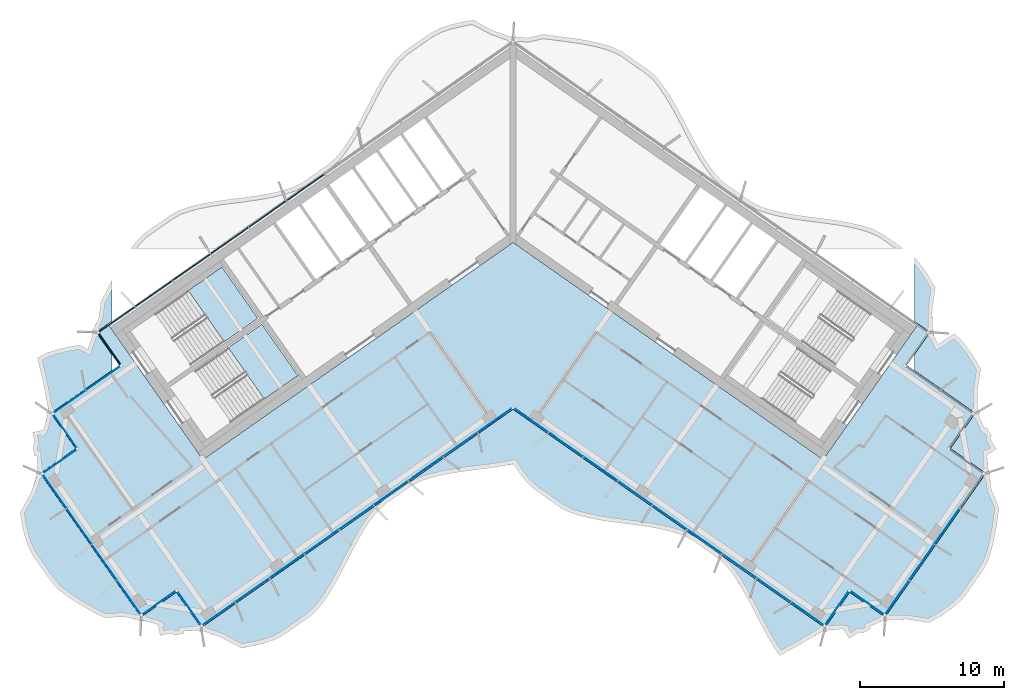
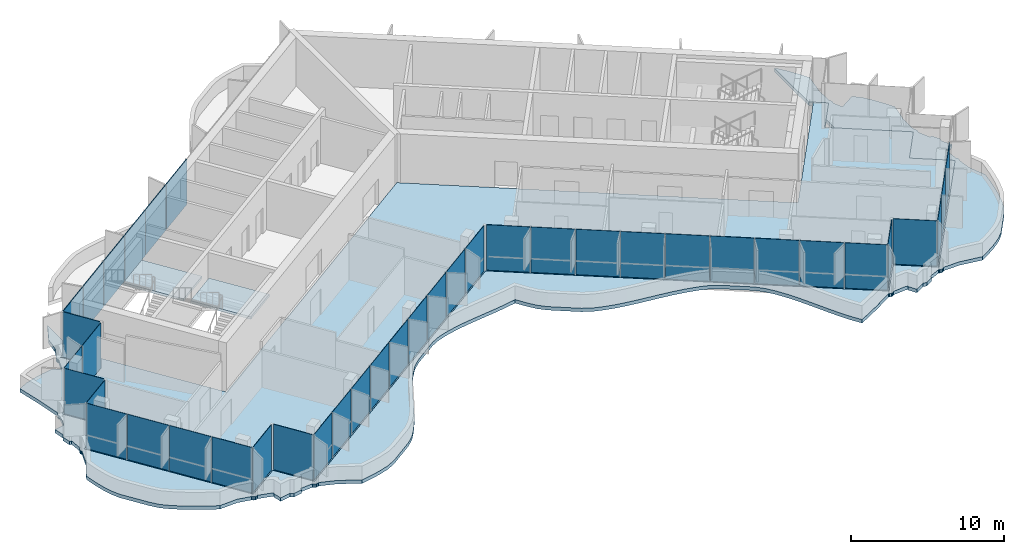
# One storey, part 9 of 20: 40 plates, 4 slabs, 4 elements without a shape of their own.
"""IFC4 building model written with IfcOpenShell, lengths in metres."""

from ifc_helpers import new_model, si_unit, direction, frame, origin, origin_2d, place, context, subcontext, project, spatial, polyline, rectangle, outline, extrude, material, layer, layer_set, type_object, element, aggregate, save


model = new_model("IFC4")

# Units and contexts
model_context = context("Model", 3, precision=1e-05, world=origin(), true_north=direction((0.0, 1.0)))
body_context = subcontext(model_context, "Body", "Model", "MODEL_VIEW")
ifc_project = project(units=[si_unit("LENGTHUNIT", "METRE"), si_unit("AREAUNIT", "SQUARE_METRE"), si_unit("VOLUMEUNIT", "CUBIC_METRE"), si_unit("PLANEANGLEUNIT", "RADIAN"), si_unit("MASSUNIT", "GRAM", prefix="KILO")], contexts=[model_context])

# Site, building, storey
site_placement = place(None, origin())
site = spatial("IfcSite", under=ifc_project, at=site_placement, CompositionType="ELEMENT")
building_placement = place(site_placement, origin())
building = spatial("IfcBuilding", under=site, at=building_placement, Name="Tel Ilan Convention Tower", CompositionType="ELEMENT")
storey_placement = place(building_placement, frame((0.0, 0.0, 244.89990234375)))
storey = spatial("IfcBuildingStorey", under=building, at=storey_placement, Name="L57", CompositionType="ELEMENT", Elevation=244.89990234375)

# Curtain wall, plates
ifc_material_1 = material(Name="Aluminium, bronze anodised", Category="aluminium")
curtain_wall_type_1 = type_object("IfcCurtainWallType", Name="CW2 STICK CURTAIN WALL, SPANDREL PANELS", PredefinedType="NOTDEFINED", material=ifc_material_1)
curtain_wall_1_placement = place(storey_placement, origin())
curtain_wall_1 = element("IfcCurtainWall", 1, at=curtain_wall_1_placement, inside=storey, type_object=curtain_wall_type_1, Name="Curtain wall CW2-44.01", PredefinedType="NOTDEFINED")
ifc_material_2 = material(Name="Aluminium composite panel, bronze anodised", Category="aluminium")
ifc_layer_1 = layer(ifc_material_2, 0.06005859375)
ifc_layer_set_1 = layer_set([ifc_layer_1], Name="CW SPANDREL PANEL 60")
plate_type_1 = type_object("IfcPlateType", Name="CW SPANDREL PANEL 60", PredefinedType="CURTAIN_PANEL", material=ifc_layer_set_1)
plate_1_placement = place(storey_placement, frame((-14.422119140625, 2.59765625, 0.0), z_axis=(0.0, 0.0, 1.0), x_axis=(-0.819152044289, -0.573576436351, 0.0)))
plate_1 = element("IfcPlate", 2, at=plate_1_placement, type_object=plate_type_1, Name="Spandrel panel", PredefinedType="CURTAIN_PANEL", context=body_context, shape_type="SweptSolid", body=[
    extrude(rectangle(XDim=3.15380859375, YDim=0.06005859375, at=origin_2d()), origin(), (0.0, 0.0, 1.0), 3.6201171875),
])
plate_2_placement = place(storey_placement, frame((-17.0546875, 0.754150390625, 0.0), z_axis=(0.0, 0.0, 1.0), x_axis=(-0.819152044289, -0.573576436351, 0.0)))
plate_2 = element("IfcPlate", 3, at=plate_2_placement, type_object=plate_type_1, Name="Spandrel panel", PredefinedType="CURTAIN_PANEL", context=body_context, shape_type="SweptSolid", body=[
    extrude(rectangle(XDim=3.15380859375, YDim=0.06005859375, at=origin_2d()), origin(), (0.0, 0.0, 1.0), 3.6201171875),
])
plate_3_placement = place(storey_placement, frame((-19.687255859375, -1.089111328125, 0.0), z_axis=(0.0, 0.0, 1.0), x_axis=(-0.819152044289, -0.573576436351, 0.0)))
plate_3 = element("IfcPlate", 4, at=plate_3_placement, type_object=plate_type_1, Name="Spandrel panel", PredefinedType="CURTAIN_PANEL", context=body_context, shape_type="SweptSolid", body=[
    extrude(rectangle(XDim=3.15380859375, YDim=0.06005859375, at=origin_2d()), origin(), (0.0, 0.0, 1.0), 3.6201171875),
])
plate_4_placement = place(storey_placement, frame((-22.31982421875, -2.9326171875, 0.0), z_axis=(0.0, 0.0, 1.0), x_axis=(-0.819152044289, -0.573576436351, 0.0)))
plate_4 = element("IfcPlate", 5, at=plate_4_placement, type_object=plate_type_1, Name="Spandrel panel", PredefinedType="CURTAIN_PANEL", context=body_context, shape_type="SweptSolid", body=[
    extrude(rectangle(XDim=3.15380859375, YDim=0.06005859375, at=origin_2d()), origin(), (0.0, 0.0, 1.0), 3.6201171875),
])
plate_5_placement = place(storey_placement, frame((-24.95263671875, -4.77587890625, 0.0), z_axis=(0.0, 0.0, 1.0), x_axis=(-0.819152044289, -0.573576436351, 0.0)))
plate_5 = element("IfcPlate", 6, at=plate_5_placement, type_object=plate_type_1, Name="Spandrel panel", PredefinedType="CURTAIN_PANEL", context=body_context, shape_type="SweptSolid", body=[
    extrude(rectangle(XDim=3.15380859375, YDim=0.06005859375, at=origin_2d()), origin(), (0.0, 0.0, 1.0), 3.6201171875),
])
plate_6_placement = place(storey_placement, frame((-27.5400390625, -6.587646484375, 0.0), z_axis=(0.0, 0.0, 1.0), x_axis=(-0.819152044289, -0.573576436351, 0.0)))
plate_6 = element("IfcPlate", 7, at=plate_6_placement, type_object=plate_type_1, Name="Spandrel panel", PredefinedType="CURTAIN_PANEL", context=body_context, shape_type="SweptSolid", body=[
    extrude(rectangle(XDim=3.0439453125, YDim=0.06005859375, at=origin_2d()), origin(), (0.0, 0.0, 1.0), 3.6201171875),
])
plate_7_placement = place(storey_placement, frame((-28.033935546875, -8.60546875, 0.0), z_axis=(0.0, 0.0, 1.0), x_axis=(0.573576436351, -0.819152044289, 0.0)))
plate_7 = element("IfcPlate", 8, at=plate_7_placement, type_object=plate_type_1, Name="Spandrel panel", PredefinedType="CURTAIN_PANEL", context=body_context, shape_type="SweptSolid", body=[
    extrude(rectangle(XDim=2.658935546875, YDim=0.06005859375, at=origin_2d()), origin(), (0.0, 0.0, 1.0), 3.6201171875),
])
aggregate(curtain_wall_1, [plate_1, plate_2, plate_3, plate_4, plate_5, plate_6, plate_7])

ifc_material_3 = material(Name="Aluminium, bronze anodised", Category="aluminium")
curtain_wall_type_2 = type_object("IfcCurtainWallType", Name="CW5 STICK CURTAIN WALL, UPPER OFFICE LOW-IRON TINTED GLASS", PredefinedType="NOTDEFINED", material=ifc_material_3)
curtain_wall_2_placement = place(storey_placement, origin())
curtain_wall_2 = element("IfcCurtainWall", 9, at=curtain_wall_2_placement, inside=storey, type_object=curtain_wall_type_2, Name="Curtain wall CW5-44.02", PredefinedType="NOTDEFINED")
ifc_material_4 = material(Name="Glass, low-iron bronze tinted, two-ply", Category="glass")
ifc_layer_2 = layer(ifc_material_4, 0.031982421875)
ifc_layer_set_2 = layer_set([ifc_layer_2], Name="CW UPPER GLASS PANEL 32")
plate_type_2 = type_object("IfcPlateType", Name="CW UPPER GLASS PANEL 32", PredefinedType="CURTAIN_PANEL", material=ifc_layer_set_2)
plate_8_placement = place(storey_placement, frame((-28.471435546875, -10.657958984375, 0.0), z_axis=(0.0, 0.0, 1.0), x_axis=(-0.819152044289, -0.573576436351, 0.0)))
plate_8 = element("IfcPlate", 10, at=plate_8_placement, type_object=plate_type_2, Name="Glass panel", PredefinedType="CURTAIN_PANEL", context=body_context, shape_type="SweptSolid", body=[
    extrude(rectangle(XDim=2.868896484375, YDim=0.028076171875, at=origin_2d()), origin(), (0.0, 0.0, 1.0), 3.6201171875),
])
plate_9_placement = place(storey_placement, frame((-30.8203125, -12.302734375, 0.0), z_axis=(0.0, 0.0, 1.0), x_axis=(-0.819152044289, -0.573576436351, 0.0)))
plate_9 = element("IfcPlate", 11, at=plate_9_placement, type_object=plate_type_2, Name="Glass panel", PredefinedType="CURTAIN_PANEL", context=body_context, shape_type="SweptSolid", body=[
    extrude(rectangle(XDim=2.74609375, YDim=0.028076171875, at=origin_2d()), origin(), (0.0, 0.0, 1.0), 3.6201171875),
])
plate_10_placement = place(storey_placement, frame((-31.126220703125, -14.30126953125, 0.0), z_axis=(0.0, 0.0, 1.0), x_axis=(0.573576436351, -0.819152044289, 0.0)))
plate_10 = element("IfcPlate", 12, at=plate_10_placement, type_object=plate_type_2, Name="Glass panel", PredefinedType="CURTAIN_PANEL", context=body_context, shape_type="SweptSolid", body=[
    extrude(rectangle(XDim=2.875, YDim=0.028076171875, at=origin_2d()), origin(), (0.0, 0.0, 1.0), 3.6201171875),
])
plate_11_placement = place(storey_placement, frame((-31.504150390625, -16.44384765625, 0.0), z_axis=(0.0, 0.0, 1.0), x_axis=(-0.819152044289, -0.573576436351, 0.0)))
plate_11 = element("IfcPlate", 13, at=plate_11_placement, type_object=plate_type_2, Name="Glass panel", PredefinedType="CURTAIN_PANEL", context=body_context, shape_type="SweptSolid", body=[
    extrude(rectangle(XDim=2.875, YDim=0.028076171875, at=origin_2d()), origin(), (0.0, 0.0, 1.0), 3.6201171875),
])
plate_12_placement = place(storey_placement, frame((-31.85693359375, -18.488037109375, 0.0), z_axis=(0.0, 0.0, 1.0), x_axis=(0.573576436351, -0.819152044289, 0.0)))
plate_12 = element("IfcPlate", 14, at=plate_12_placement, type_object=plate_type_2, Name="Glass panel", PredefinedType="CURTAIN_PANEL", context=body_context, shape_type="SweptSolid", body=[
    extrude(rectangle(XDim=2.89599609375, YDim=0.028076171875, at=origin_2d()), origin(), (0.0, 0.0, 1.0), 3.6201171875),
])
plate_13_placement = place(storey_placement, frame((-30.134521484375, -20.94775390625, 0.0), z_axis=(0.0, 0.0, 1.0), x_axis=(0.573576436351, -0.819152044289, 0.0)))
plate_13 = element("IfcPlate", 15, at=plate_13_placement, type_object=plate_type_2, Name="Glass panel", PredefinedType="CURTAIN_PANEL", context=body_context, shape_type="SweptSolid", body=[
    extrude(rectangle(XDim=2.989990234375, YDim=0.028076171875, at=origin_2d()), origin(), (0.0, 0.0, 1.0), 3.6201171875),
])
plate_14_placement = place(storey_placement, frame((-28.38525390625, -23.4462890625, 0.0), z_axis=(0.0, 0.0, 1.0), x_axis=(0.573576436351, -0.819152044289, 0.0)))
plate_14 = element("IfcPlate", 16, at=plate_14_placement, type_object=plate_type_2, Name="Glass panel", PredefinedType="CURTAIN_PANEL", context=body_context, shape_type="SweptSolid", body=[
    extrude(rectangle(XDim=2.989990234375, YDim=0.028076171875, at=origin_2d()), origin(), (0.0, 0.0, 1.0), 3.6201171875),
])
plate_15_placement = place(storey_placement, frame((-26.66259765625, -25.90625, 0.0), z_axis=(0.0, 0.0, 1.0), x_axis=(0.573576436351, -0.819152044289, 0.0)))
plate_15 = element("IfcPlate", 17, at=plate_15_placement, type_object=plate_type_2, Name="Glass panel", PredefinedType="CURTAIN_PANEL", context=body_context, shape_type="SweptSolid", body=[
    extrude(rectangle(XDim=2.89599609375, YDim=0.028076171875, at=origin_2d()), origin(), (0.0, 0.0, 1.0), 3.6201171875),
])
plate_16_placement = place(storey_placement, frame((-24.621337890625, -26.273681640625, 0.0), z_axis=(0.0, 0.0, 1.0), x_axis=(0.819152044289, 0.573576436351, 0.0)))
plate_16 = element("IfcPlate", 18, at=plate_16_placement, type_object=plate_type_2, Name="Glass panel", PredefinedType="CURTAIN_PANEL", context=body_context, shape_type="SweptSolid", body=[
    extrude(rectangle(XDim=2.875, YDim=0.028076171875, at=origin_2d()), origin(), (0.0, 0.0, 1.0), 3.6201171875),
])
plate_17_placement = place(storey_placement, frame((-22.478515625, -26.651611328125, 0.0), z_axis=(0.0, 0.0, 1.0), x_axis=(0.573576436351, -0.819152044289, 0.0)))
plate_17 = element("IfcPlate", 19, at=plate_17_placement, type_object=plate_type_2, Name="Glass panel", PredefinedType="CURTAIN_PANEL", context=body_context, shape_type="SweptSolid", body=[
    extrude(rectangle(XDim=2.875, YDim=0.028076171875, at=origin_2d()), origin(), (0.0, 0.0, 1.0), 3.6201171875),
])
plate_18_placement = place(storey_placement, frame((-20.47998046875, -27.036376953125, 0.0), z_axis=(0.0, 0.0, 1.0), x_axis=(0.819152044289, 0.573576436351, 0.0)))
plate_18 = element("IfcPlate", 20, at=plate_18_placement, type_object=plate_type_2, Name="Glass panel", PredefinedType="CURTAIN_PANEL", context=body_context, shape_type="SweptSolid", body=[
    extrude(rectangle(XDim=2.78466796875, YDim=0.028076171875, at=origin_2d()), origin(), (0.0, 0.0, 1.0), 3.6201171875),
])
plate_19_placement = place(storey_placement, frame((-18.111328125, -25.377685546875, 0.0), z_axis=(0.0, 0.0, 1.0), x_axis=(0.819152044289, 0.573576436351, 0.0)))
plate_19 = element("IfcPlate", 21, at=plate_19_placement, type_object=plate_type_2, Name="Glass panel", PredefinedType="CURTAIN_PANEL", context=body_context, shape_type="SweptSolid", body=[
    extrude(rectangle(XDim=2.878662109375, YDim=0.028076171875, at=origin_2d()), origin(), (0.0, 0.0, 1.0), 3.6201171875),
])
plate_20_placement = place(storey_placement, frame((-15.7041015625, -23.692138671875, 0.0), z_axis=(0.0, 0.0, 1.0), x_axis=(0.819152044289, 0.573576436351, 0.0)))
plate_20 = element("IfcPlate", 22, at=plate_20_placement, type_object=plate_type_2, Name="Glass panel", PredefinedType="CURTAIN_PANEL", context=body_context, shape_type="SweptSolid", body=[
    extrude(rectangle(XDim=2.878662109375, YDim=0.028076171875, at=origin_2d()), origin(), (0.0, 0.0, 1.0), 3.6201171875),
])
plate_21_placement = place(storey_placement, frame((-13.296875, -22.006591796875, 0.0), z_axis=(0.0, 0.0, 1.0), x_axis=(0.819152044289, 0.573576436351, 0.0)))
plate_21 = element("IfcPlate", 23, at=plate_21_placement, type_object=plate_type_2, Name="Glass panel", PredefinedType="CURTAIN_PANEL", context=body_context, shape_type="SweptSolid", body=[
    extrude(rectangle(XDim=2.878662109375, YDim=0.028076171875, at=origin_2d()), origin(), (0.0, 0.0, 1.0), 3.6201171875),
])
plate_22_placement = place(storey_placement, frame((-10.8896484375, -20.321044921875, 0.0), z_axis=(0.0, 0.0, 1.0), x_axis=(0.819152044289, 0.573576436351, 0.0)))
plate_22 = element("IfcPlate", 24, at=plate_22_placement, type_object=plate_type_2, Name="Glass panel", PredefinedType="CURTAIN_PANEL", context=body_context, shape_type="SweptSolid", body=[
    extrude(rectangle(XDim=2.878662109375, YDim=0.028076171875, at=origin_2d()), origin(), (0.0, 0.0, 1.0), 3.6201171875),
])
plate_23_placement = place(storey_placement, frame((-8.482666015625, -18.635498046875, 0.0), z_axis=(0.0, 0.0, 1.0), x_axis=(0.819152044289, 0.573576436351, 0.0)))
plate_23 = element("IfcPlate", 25, at=plate_23_placement, type_object=plate_type_2, Name="Glass panel", PredefinedType="CURTAIN_PANEL", context=body_context, shape_type="SweptSolid", body=[
    extrude(rectangle(XDim=2.878662109375, YDim=0.028076171875, at=origin_2d()), origin(), (0.0, 0.0, 1.0), 3.6201171875),
])
plate_24_placement = place(storey_placement, frame((-6.075439453125, -16.949951171875, 0.0), z_axis=(0.0, 0.0, 1.0), x_axis=(0.819152044289, 0.573576436351, 0.0)))
plate_24 = element("IfcPlate", 26, at=plate_24_placement, type_object=plate_type_2, Name="Glass panel", PredefinedType="CURTAIN_PANEL", context=body_context, shape_type="SweptSolid", body=[
    extrude(rectangle(XDim=2.878662109375, YDim=0.028076171875, at=origin_2d()), origin(), (0.0, 0.0, 1.0), 3.6201171875),
])
plate_25_placement = place(storey_placement, frame((-3.668212890625, -15.264404296875, 0.0), z_axis=(0.0, 0.0, 1.0), x_axis=(0.819152044289, 0.573576436351, 0.0)))
plate_25 = element("IfcPlate", 27, at=plate_25_placement, type_object=plate_type_2, Name="Glass panel", PredefinedType="CURTAIN_PANEL", context=body_context, shape_type="SweptSolid", body=[
    extrude(rectangle(XDim=2.878662109375, YDim=0.028076171875, at=origin_2d()), origin(), (0.0, 0.0, 1.0), 3.6201171875),
])
plate_26_placement = place(storey_placement, frame((-1.261474609375, -13.579345703125, 0.0), z_axis=(0.0, 0.0, 1.0), x_axis=(0.819152044289, 0.573576436351, 0.0)))
plate_26 = element("IfcPlate", 28, at=plate_26_placement, type_object=plate_type_2, Name="Glass panel", PredefinedType="CURTAIN_PANEL", context=body_context, shape_type="SweptSolid", body=[
    extrude(rectangle(XDim=2.877685546875, YDim=0.028076171875, at=origin_2d()), origin(), (0.0, 0.0, 1.0), 3.6201171875),
])
plate_27_placement = place(storey_placement, frame((1.27294921875, -13.58740234375, 0.0), z_axis=(0.0, 0.0, 1.0), x_axis=(0.819152044289, -0.573576436351, 0.0)))
plate_27 = element("IfcPlate", 29, at=plate_27_placement, type_object=plate_type_2, Name="Glass panel", PredefinedType="CURTAIN_PANEL", context=body_context, shape_type="SweptSolid", body=[
    extrude(rectangle(XDim=2.849609375, YDim=0.028076171875, at=origin_2d()), origin(), (0.0, 0.0, 1.0), 3.6201171875),
])
plate_28_placement = place(storey_placement, frame((3.668212890625, -15.264404296875, 0.0), z_axis=(0.0, 0.0, 1.0), x_axis=(0.819152044289, -0.573576436351, 0.0)))
plate_28 = element("IfcPlate", 30, at=plate_28_placement, type_object=plate_type_2, Name="Glass panel", PredefinedType="CURTAIN_PANEL", context=body_context, shape_type="SweptSolid", body=[
    extrude(rectangle(XDim=2.878662109375, YDim=0.028076171875, at=origin_2d()), origin(), (0.0, 0.0, 1.0), 3.6201171875),
])
plate_29_placement = place(storey_placement, frame((6.075439453125, -16.949951171875, 0.0), z_axis=(0.0, 0.0, 1.0), x_axis=(0.819152044289, -0.573576436351, 0.0)))
plate_29 = element("IfcPlate", 31, at=plate_29_placement, type_object=plate_type_2, Name="Glass panel", PredefinedType="CURTAIN_PANEL", context=body_context, shape_type="SweptSolid", body=[
    extrude(rectangle(XDim=2.878662109375, YDim=0.028076171875, at=origin_2d()), origin(), (0.0, 0.0, 1.0), 3.6201171875),
])
plate_30_placement = place(storey_placement, frame((8.482666015625, -18.635498046875, 0.0), z_axis=(0.0, 0.0, 1.0), x_axis=(0.819152044289, -0.573576436351, 0.0)))
plate_30 = element("IfcPlate", 32, at=plate_30_placement, type_object=plate_type_2, Name="Glass panel", PredefinedType="CURTAIN_PANEL", context=body_context, shape_type="SweptSolid", body=[
    extrude(rectangle(XDim=2.878662109375, YDim=0.028076171875, at=origin_2d()), origin(), (0.0, 0.0, 1.0), 3.6201171875),
])
plate_31_placement = place(storey_placement, frame((10.8896484375, -20.321044921875, 0.0), z_axis=(0.0, 0.0, 1.0), x_axis=(0.819152044289, -0.573576436351, 0.0)))
plate_31 = element("IfcPlate", 33, at=plate_31_placement, type_object=plate_type_2, Name="Glass panel", PredefinedType="CURTAIN_PANEL", context=body_context, shape_type="SweptSolid", body=[
    extrude(rectangle(XDim=2.878662109375, YDim=0.028076171875, at=origin_2d()), origin(), (0.0, 0.0, 1.0), 3.6201171875),
])
plate_32_placement = place(storey_placement, frame((13.296875, -22.006591796875, 0.0), z_axis=(0.0, 0.0, 1.0), x_axis=(0.819152044289, -0.573576436351, 0.0)))
plate_32 = element("IfcPlate", 34, at=plate_32_placement, type_object=plate_type_2, Name="Glass panel", PredefinedType="CURTAIN_PANEL", context=body_context, shape_type="SweptSolid", body=[
    extrude(rectangle(XDim=2.878662109375, YDim=0.028076171875, at=origin_2d()), origin(), (0.0, 0.0, 1.0), 3.6201171875),
])
plate_33_placement = place(storey_placement, frame((15.7041015625, -23.692138671875, 0.0), z_axis=(0.0, 0.0, 1.0), x_axis=(0.819152044289, -0.573576436351, 0.0)))
plate_33 = element("IfcPlate", 35, at=plate_33_placement, type_object=plate_type_2, Name="Glass panel", PredefinedType="CURTAIN_PANEL", context=body_context, shape_type="SweptSolid", body=[
    extrude(rectangle(XDim=2.878662109375, YDim=0.028076171875, at=origin_2d()), origin(), (0.0, 0.0, 1.0), 3.6201171875),
])
plate_34_placement = place(storey_placement, frame((18.111328125, -25.377685546875, 0.0), z_axis=(0.0, 0.0, 1.0), x_axis=(0.819152044289, -0.573576436351, 0.0)))
plate_34 = element("IfcPlate", 36, at=plate_34_placement, type_object=plate_type_2, Name="Glass panel", PredefinedType="CURTAIN_PANEL", context=body_context, shape_type="SweptSolid", body=[
    extrude(rectangle(XDim=2.878662109375, YDim=0.028076171875, at=origin_2d()), origin(), (0.0, 0.0, 1.0), 3.6201171875),
])
plate_35_placement = place(storey_placement, frame((20.47998046875, -27.036376953125, 0.0), z_axis=(0.0, 0.0, 1.0), x_axis=(0.819152044289, -0.573576436351, 0.0)))
plate_35 = element("IfcPlate", 37, at=plate_35_placement, type_object=plate_type_2, Name="Glass panel", PredefinedType="CURTAIN_PANEL", context=body_context, shape_type="SweptSolid", body=[
    extrude(rectangle(XDim=2.78466796875, YDim=0.028076171875, at=origin_2d()), origin(), (0.0, 0.0, 1.0), 3.6201171875),
])
plate_36_placement = place(storey_placement, frame((22.478515625, -26.651611328125, 0.0), z_axis=(0.0, 0.0, 1.0), x_axis=(0.573576436351, 0.819152044289, 0.0)))
plate_36 = element("IfcPlate", 38, at=plate_36_placement, type_object=plate_type_2, Name="Glass panel", PredefinedType="CURTAIN_PANEL", context=body_context, shape_type="SweptSolid", body=[
    extrude(rectangle(XDim=2.875, YDim=0.028076171875, at=origin_2d()), origin(), (0.0, 0.0, 1.0), 3.6201171875),
])
plate_37_placement = place(storey_placement, frame((24.621337890625, -26.273681640625, 0.0), z_axis=(0.0, 0.0, 1.0), x_axis=(0.819152044289, -0.573576436351, 0.0)))
plate_37 = element("IfcPlate", 39, at=plate_37_placement, type_object=plate_type_2, Name="Glass panel", PredefinedType="CURTAIN_PANEL", context=body_context, shape_type="SweptSolid", body=[
    extrude(rectangle(XDim=2.875, YDim=0.028076171875, at=origin_2d()), origin(), (0.0, 0.0, 1.0), 3.6201171875),
])
plate_38_placement = place(storey_placement, frame((26.66259765625, -25.90625, 0.0), z_axis=(0.0, 0.0, 1.0), x_axis=(0.573576436351, 0.819152044289, 0.0)))
plate_38 = element("IfcPlate", 40, at=plate_38_placement, type_object=plate_type_2, Name="Glass panel", PredefinedType="CURTAIN_PANEL", context=body_context, shape_type="SweptSolid", body=[
    extrude(rectangle(XDim=2.89599609375, YDim=0.028076171875, at=origin_2d()), origin(), (0.0, 0.0, 1.0), 3.6201171875),
])
plate_39_placement = place(storey_placement, frame((28.38525390625, -23.4462890625, 0.0), z_axis=(0.0, 0.0, 1.0), x_axis=(0.573576436351, 0.819152044289, 0.0)))
plate_39 = element("IfcPlate", 41, at=plate_39_placement, type_object=plate_type_2, Name="Glass panel", PredefinedType="CURTAIN_PANEL", context=body_context, shape_type="SweptSolid", body=[
    extrude(rectangle(XDim=2.989990234375, YDim=0.028076171875, at=origin_2d()), origin(), (0.0, 0.0, 1.0), 3.6201171875),
])
plate_40_placement = place(storey_placement, frame((30.134521484375, -20.94775390625, 0.0), z_axis=(0.0, 0.0, 1.0), x_axis=(0.573576436351, 0.819152044289, 0.0)))
plate_40 = element("IfcPlate", 42, at=plate_40_placement, type_object=plate_type_2, Name="Glass panel", PredefinedType="CURTAIN_PANEL", context=body_context, shape_type="SweptSolid", body=[
    extrude(rectangle(XDim=2.989990234375, YDim=0.028076171875, at=origin_2d()), origin(), (0.0, 0.0, 1.0), 3.6201171875),
])
aggregate(curtain_wall_2, [plate_8, plate_9, plate_10, plate_11, plate_12, plate_13, plate_14, plate_15, plate_16, plate_17, plate_18, plate_19, plate_20, plate_21, plate_22, plate_23, plate_24, plate_25, plate_26, plate_27, plate_28, plate_29, plate_30, plate_31, plate_32, plate_33, plate_34, plate_35, plate_36, plate_37, plate_38, plate_39, plate_40])

# Stair, slab
ifc_material_5 = material(Name="Concrete C40/50", Category="concrete")
stair_type = type_object("IfcStairType", Name="Pressurised Exit Stair 22 risers 177 mm", PredefinedType="HALF_TURN_STAIR", material=ifc_material_5)
stair_1_placement = place(storey_placement, origin())
stair_1 = element("IfcStair", 43, at=stair_1_placement, inside=storey, type_object=stair_type, Name="L57 Pressurised Stair S1", PredefinedType="HALF_TURN_STAIR")
ifc_material_6 = material(Name="Concrete C40/50", Category="concrete")
ifc_layer_3 = layer(ifc_material_6, 0.199951171875)
ifc_layer_set_3 = layer_set([ifc_layer_3], Name="Concrete Stair Landing 200 mm C40/50")
slab_type_1 = type_object("IfcSlabType", Name="Concrete Stair Landing 200 mm", PredefinedType="LANDING", material=ifc_layer_set_3)
slab_1_placement = place(storey_placement, frame((0.0, 0.0, 1.75)))
slab_1 = element("IfcSlab", 44, at=slab_1_placement, type_object=slab_type_1, Name="S1 landing 1", PredefinedType="LANDING", context=body_context, shape_type="SweptSolid", body=[
    extrude(outline(polyline([(-20.066650390625, -8.130126953125), (-17.7314453125, -6.494873046875), (-20.226318359375, -2.931640625), (-22.561767578125, -4.566650390625), (-20.066650390625, -8.130126953125)])), origin(), (0.0, 0.0, 1.0), 0.2001953125),
])
aggregate(stair_1, [slab_1])

stair_2_placement = place(storey_placement, origin())
stair_2 = element("IfcStair", 45, at=stair_2_placement, inside=storey, type_object=stair_type, Name="L57 Pressurised Stair S2", PredefinedType="HALF_TURN_STAIR")
slab_2_placement = place(storey_placement, frame((0.0, 0.0, 1.75)))
slab_2 = element("IfcSlab", 46, at=slab_2_placement, type_object=slab_type_1, Name="S2 landing 1", PredefinedType="LANDING", context=body_context, shape_type="SweptSolid", body=[
    extrude(outline(polyline([(-17.28466796875, -12.10302734375), (-14.949462890625, -10.4677734375), (-17.444580078125, -6.904541015625), (-19.77978515625, -8.53955078125), (-17.28466796875, -12.10302734375)])), origin(), (0.0, 0.0, 1.0), 0.2001953125),
])
aggregate(stair_2, [slab_2])

# Slabs
ifc_material_7 = material(Name="Concrete C40/50", Category="concrete")
ifc_layer_4 = layer(ifc_material_7, 0.280029296875)
ifc_layer_set_4 = layer_set([ifc_layer_4], Name="Edge Ledge Slab 280 mm C40/50")
slab_type_2 = type_object("IfcSlabType", Name="Edge Ledge Slab 280 mm C40/50", PredefinedType="FLOOR", material=ifc_layer_set_4)
slab_3_placement = place(storey_placement, frame((0.0, 0.0, -0.27978515625)))
element("IfcSlab", 47, at=slab_3_placement, inside=storey, type_object=slab_type_2, Name="L57 edge ledge 1", PredefinedType="FLOOR", context=body_context, shape_type="SweptSolid", body=[
    extrude(outline(polyline([(-22.855224609375, -28.3798828125), (-23.49462890625, -28.5126953125), (-23.728759765625, -28.3701171875), (-24.51416015625, -28.518310546875), (-24.64697265625, -27.87890625), (-24.61669921875, -27.8291015625), (-24.7724609375, -27.73388671875), (-25.6708984375, -27.4970703125), (-25.67431640625, -27.4921875), (-25.728271484375, -27.5283203125), (-25.843017578125, -27.55126953125), (-25.957763671875, -27.5283203125), (-26.05517578125, -27.46337890625), (-26.083984375, -27.420166015625), (-26.088623046875, -27.42333984375), (-27.05419921875, -27.223388671875), (-28.398193359375, -27.288330078125), (-29.12353515625, -26.920166015625), (-29.82373046875, -26.5341796875), (-30.49462890625, -26.1279296875), (-31.125732421875, -25.69384765625), (-31.707763671875, -25.22509765625), (-32.166748046875, -24.670654296875), (-33.401611328125, -22.906982421875), (-33.7158203125, -22.2509765625), (-33.940185546875, -21.531982421875), (-34.1181640625, -20.780517578125), (-34.248779296875, -19.995849609375), (-33.47021484375, -18.574462890625), (-33.08642578125, -17.4296875), (-33.081787109375, -17.426513671875), (-33.117919921875, -17.372314453125), (-33.140625, -17.257568359375), (-33.117919921875, -17.142822265625), (-33.052734375, -17.04541015625), (-33.009521484375, -17.0166015625), (-33.0126953125, -17.011962890625), (-33.085693359375, -16.03955078125), (-33.232666015625, -16.067138671875), (-33.365478515625, -15.427490234375), (-33.22265625, -15.193603515625), (-33.370849609375, -14.408203125), (-32.7314453125, -14.275390625), (-32.681640625, -14.3056640625), (-32.586669921875, -14.14990234375), (-32.349609375, -13.25146484375), (-32.344970703125, -13.248291015625), (-32.381103515625, -13.194091796875), (-32.40380859375, -13.079345703125), (-32.381103515625, -12.964599609375), (-32.31591796875, -12.8671875), (-32.272705078125, -12.83837890625), (-32.27587890625, -12.833740234375), (-32.6083984375, -11.094970703125), (-33.031982421875, -9.225830078125), (-32.382080078125, -8.890380859375), (-31.6572265625, -8.661376953125), (-30.899169921875, -8.47998046875), (-30.110107421875, -8.3427734375), (-29.537353515625, -8.652587890625), (-29.20458984375, -7.631103515625), (-29.199951171875, -7.6279296875), (-29.236083984375, -7.57373046875), (-29.2587890625, -7.458984375), (-29.236083984375, -7.34423828125), (-29.1708984375, -7.246826171875), (-29.127685546875, -7.218017578125), (-29.130859375, -7.21337890625), (-28.772216796875, -6.441650390625), (-28.635009765625, -5.353515625), (-28.252685546875, -4.614990234375), (-27.875, -3.881103515625), (-27.875, -6.7001953125), (-28.958740234375, -7.458984375), (-27.875, -9.007080078125), (-27.875, -10.1181640625), (-32.10400390625, -13.079345703125), (-30.383056640625, -15.536865234375), (-32.840576171875, -17.257568359375), (-25.843017578125, -27.251220703125), (-23.385498046875, -25.530517578125), (-21.664794921875, -27.988037109375), (0.0, -12.818115234375), (21.664794921875, -27.988037109375), (23.385498046875, -25.530517578125), (25.843017578125, -27.251220703125), (32.840576171875, -17.257568359375), (30.383056640625, -15.536865234375), (32.10400390625, -13.079345703125), (27.875, -10.1181640625), (27.875, -9.007080078125), (28.958740234375, -7.458984375), (27.875, -6.7001953125), (27.875, -2.269287109375), (28.0107421875, -2.392578125), (28.48388671875, -3.001220703125), (28.922119140625, -3.6591796875), (29.331298828125, -4.35888671875), (29.109619140625, -5.95947265625), (29.130859375, -7.21337890625), (29.127685546875, -7.218017578125), (29.1708984375, -7.246826171875), (29.236083984375, -7.34423828125), (29.2587890625, -7.458984375), (29.236083984375, -7.57373046875), (29.199951171875, -7.6279296875), (29.20458984375, -7.631103515625), (29.52001953125, -8.2939453125), (30.656494140625, -7.5625), (31.194091796875, -8.05859375), (31.6572265625, -8.661376953125), (32.0869140625, -9.3115234375), (32.485595703125, -10.006103515625), (32.248779296875, -11.6083984375), (32.27587890625, -12.833740234375), (32.272705078125, -12.83837890625), (32.31591796875, -12.8671875), (32.381103515625, -12.964599609375), (32.40380859375, -13.079345703125), (32.381103515625, -13.194091796875), (32.344970703125, -13.248291015625), (32.349609375, -13.25146484375), (32.7509765625, -14.14013671875), (32.87939453125, -14.06396484375), (33.222900390625, -14.619384765625), (33.1689453125, -14.88818359375), (33.576904296875, -15.57568359375), (33.021240234375, -15.919189453125), (32.964111328125, -15.90771484375), (32.927978515625, -16.086669921875), (33.0126953125, -17.011962890625), (33.009521484375, -17.0166015625), (33.052734375, -17.04541015625), (33.117919921875, -17.142822265625), (33.140625, -17.257568359375), (33.117919921875, -17.372314453125), (33.081787109375, -17.426513671875), (33.08642578125, -17.4296875), (33.228759765625, -18.405517578125), (33.749267578125, -19.64599609375), (33.6513671875, -20.45361328125), (33.5283203125, -21.243408203125), (33.376220703125, -22.012939453125), (33.183837890625, -22.75439453125), (32.9423828125, -23.461669921875), (32.57861328125, -24.082763671875), (31.343505859375, -25.84619140625), (30.83447265625, -26.365966796875), (30.235595703125, -26.82275390625), (29.59033203125, -27.246826171875), (28.897705078125, -27.637939453125), (27.2958984375, -27.392578125), (26.088623046875, -27.42333984375), (26.083984375, -27.420166015625), (26.05517578125, -27.46337890625), (25.957763671875, -27.5283203125), (25.843017578125, -27.55126953125), (25.728271484375, -27.5283203125), (25.67431640625, -27.4921875), (25.6708984375, -27.4970703125), (24.7822265625, -27.898193359375), (24.8583984375, -28.02685546875), (24.302978515625, -28.3701171875), (24.0341796875, -28.31640625), (23.3466796875, -28.72412109375), (23.00341796875, -28.168701171875), (23.0146484375, -28.111328125), (22.835693359375, -28.075439453125), (21.910400390625, -28.16015625), (21.906005859375, -28.15673828125), (21.876953125, -28.2001953125), (21.779541015625, -28.26513671875), (21.664794921875, -28.2880859375), (21.550048828125, -28.26513671875), (21.49609375, -28.22900390625), (21.49267578125, -28.233642578125), (19.969482421875, -29.128173828125), (18.5185546875, -29.919677734375), (18.077880859375, -29.268310546875), (17.6669921875, -28.573974609375), (17.27587890625, -27.851806640625), (16.894775390625, -27.115234375), (16.51416015625, -26.377685546875), (16.12451171875, -25.653564453125), (15.71630859375, -24.955810546875), (15.28125, -24.29638671875), (14.811767578125, -23.685791015625), (14.27099609375, -23.177001953125), (12.4658203125, -21.9130859375), (11.811767578125, -21.56591796875), (11.080810546875, -21.329345703125), (10.314697265625, -21.142333984375), (9.521240234375, -20.99462890625), (8.70849609375, -20.87451171875), (7.885986328125, -20.7685546875), (7.06298828125, -20.6630859375), (6.24951171875, -20.5439453125), (5.45458984375, -20.398193359375), (4.68701171875, -20.213623046875), (3.953857421875, -19.979736328125), (3.2939453125, -19.6416015625), (1.488525390625, -18.377197265625), (0.94189453125, -17.877197265625), (0.470458984375, -17.269775390625), (0.03369140625, -16.61279296875), (0.033203125, -16.6123046875), (-0.023681640625, -16.626708984375), (-0.816650390625, -16.775146484375), (-1.62890625, -16.895751953125), (-2.45166015625, -17.001953125), (-3.274658203125, -17.107421875), (-4.08837890625, -17.225830078125), (-4.8837890625, -17.370849609375), (-5.65234375, -17.55419921875), (-6.386474609375, -17.78662109375), (-7.049560546875, -18.12060546875), (-8.85498046875, -19.384521484375), (-9.404541015625, -19.880615234375), (-9.877197265625, -20.486572265625), (-10.314697265625, -21.142333984375), (-10.724853515625, -21.83740234375), (-11.11572265625, -22.56005859375), (-11.49658203125, -23.296875), (-11.877197265625, -24.0341796875), (-12.267333984375, -24.7578125), (-12.67626953125, -25.454833984375), (-13.1123046875, -26.113037109375), (-13.582763671875, -26.721923828125), (-14.12646484375, -27.226318359375), (-15.931884765625, -28.490478515625), (-16.588623046875, -28.833251953125), (-17.32080078125, -29.068603515625), (-18.08740234375, -29.25439453125), (-18.88330078125, -29.3984375), (-20.311279296875, -28.64013671875), (-21.49267578125, -28.233642578125), (-21.49609375, -28.22900390625), (-21.550048828125, -28.26513671875), (-21.664794921875, -28.2880859375), (-21.779541015625, -28.26513671875), (-21.876953125, -28.2001953125), (-21.906005859375, -28.15673828125), (-21.910400390625, -28.16015625), (-22.8828125, -28.233154296875), (-22.855224609375, -28.3798828125)])), origin(), (0.0, 0.0, 1.0), 0.27978515625),
])
ifc_material_8 = material(Name="Concrete C40/50", Category="concrete")
ifc_layer_5 = layer(ifc_material_8, 0.280029296875)
ifc_layer_set_5 = layer_set([ifc_layer_5], Name="Flat Plate Floor Slab 280 mm C40/50")
slab_type_3 = type_object("IfcSlabType", Name="Flat Plate Floor Slab 280 mm C40/50", PredefinedType="FLOOR", material=ifc_layer_set_5)
slab_4_placement = place(storey_placement, frame((0.0, 0.0, -0.27978515625)))
element("IfcSlab", 48, at=slab_4_placement, inside=storey, type_object=slab_type_3, Name="L57 floor slab", PredefinedType="FLOOR", context=body_context, shape_type="SweptSolid", body=[
    extrude(outline(polyline([(21.54345703125, -16.3056640625), (28.1396484375, -6.885498046875), (28.958740234375, -7.458984375), (27.352783203125, -9.752685546875), (32.10400390625, -13.079345703125), (30.383056640625, -15.536865234375), (32.840576171875, -17.257568359375), (25.843017578125, -27.251220703125), (23.385498046875, -25.530517578125), (21.664794921875, -27.988037109375), (0.0, -12.818115234375), (-21.664794921875, -27.988037109375), (-23.385498046875, -25.530517578125), (-25.843017578125, -27.251220703125), (-32.840576171875, -17.257568359375), (-30.383056640625, -15.536865234375), (-32.10400390625, -13.079345703125), (-27.352783203125, -9.752685546875), (-28.958740234375, -7.458984375), (-28.1396484375, -6.885498046875), (-21.54345703125, -16.3056640625), (0.0, -1.220703125), (21.54345703125, -16.3056640625)])), origin(), (0.0, 0.0, 1.0), 0.27978515625),
])

save(model, "model.ifc")
